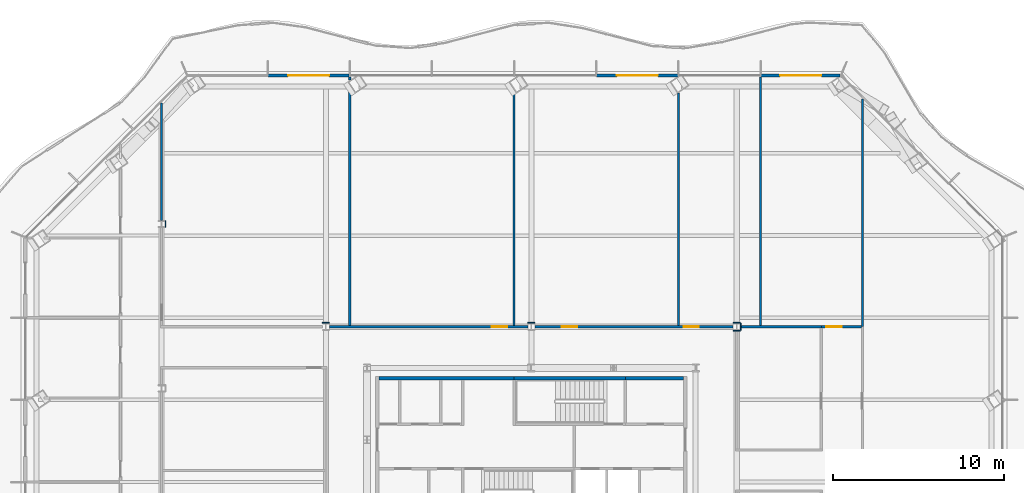
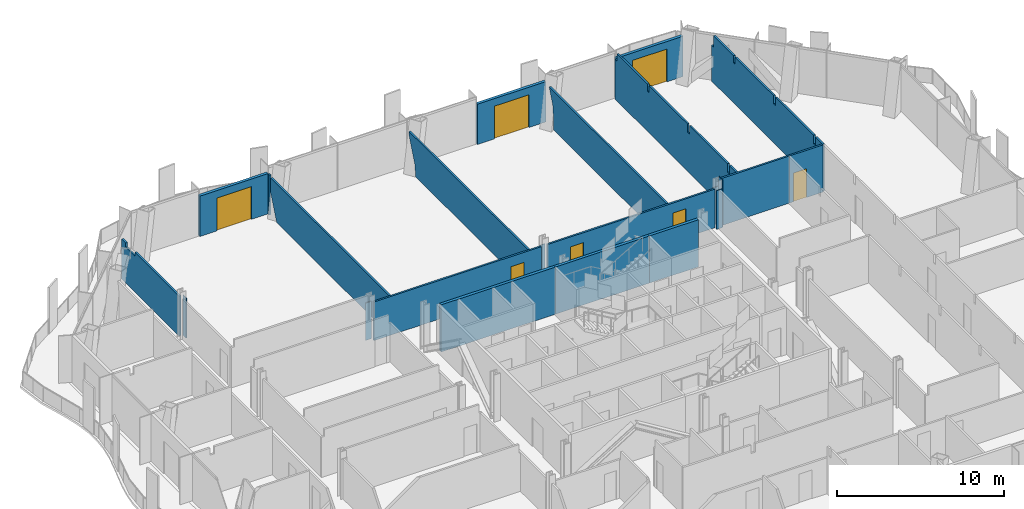
# One storey, part 12 of 21: 23 walls, 7 doors, 7 openings.
"""IFC4 building model written with IfcOpenShell, lengths in metres."""

from ifc_helpers import new_model, si_unit, direction, frame, frame_2d, origin, place, context, subcontext, project, spatial, polyline, rectangle, outline, extrude, material, layer, layer_set, type_object, element, fill, save


model = new_model("IFC4")

# Units and contexts
model_context = context("Model", 3, precision=1e-05, world=origin(), true_north=direction((0.0, 1.0)))
body_context = subcontext(model_context, "Body", "Model", "MODEL_VIEW")
ifc_project = project(units=[si_unit("LENGTHUNIT", "METRE"), si_unit("AREAUNIT", "SQUARE_METRE"), si_unit("VOLUMEUNIT", "CUBIC_METRE"), si_unit("PLANEANGLEUNIT", "RADIAN"), si_unit("MASSUNIT", "GRAM", prefix="KILO")], contexts=[model_context])

# Site, building, storey
site_placement = place(None, origin())
site = spatial("IfcSite", under=ifc_project, at=site_placement, CompositionType="ELEMENT")
building_placement = place(site_placement, origin())
building = spatial("IfcBuilding", under=site, at=building_placement, Name="Cairn Pilgrim Tower", CompositionType="ELEMENT")
storey_placement = place(building_placement, frame((0.0, 0.0, 108.60009765625)))
storey = spatial("IfcBuildingStorey", under=building, at=storey_placement, Name="L26", CompositionType="ELEMENT", Elevation=108.60009765625)

# Wall, opening, door
ifc_material_1 = material(Name="Bronze anodised aluminium insulated sandwich panel with mineral wool fill", Category="aluminium")
ifc_layer_1 = layer(ifc_material_1, 0.199951171875)
ifc_layer_set_1 = layer_set([ifc_layer_1], Name="BRONZE INFILL FRAME WALL 200")
wall_type_1 = type_object("IfcWallType", Name="BRONZE INFILL FRAME WALL 200", PredefinedType="NOTDEFINED", material=ifc_layer_set_1)
wall_1_placement = place(storey_placement, frame((25.248046875, 27.877685546875, 0.0), z_axis=(0.0, 0.0, 1.0), x_axis=(-1.0, 0.0, 0.0)))
wall_1 = element("IfcWall", 1, at=wall_1_placement, inside=storey, type_object=wall_type_1, Name="Bronze infill frame wall IW-N1", PredefinedType="NOTDEFINED", context=body_context, shape_type="SweptSolid", body=[
    extrude(rectangle(XDim=4.62646484375, YDim=0.199951171875, at=frame_2d((2.313232421875, 0.0))), origin(), (0.0, 0.0, 1.0), 2.949951171875),
])
opening_1_placement = place(wall_1_placement, frame((1.10791015625, 0.0, 0.0)))
opening_1 = element("IfcOpeningElement", 2, at=opening_1_placement, cuts=wall_1, Name="Opening 2620B", PredefinedType="OPENING", context=body_context, shape_type="SweptSolid", body=[
    extrude(rectangle(XDim=2.39990234375, YDim=2.39990234375, at=frame_2d((1.199951171875, 1.199951171875))), frame((0.0, 0.10986328125, 0.0), z_axis=(0.0, -1.0, 0.0), x_axis=(1.0, 0.0, 0.0)), (0.0, 0.0, 1.0), 0.219970703125),
])
ifc_material_2 = material(Name="Bronze anodised aluminium frame with tinted low-E glass", Category="aluminium")
door_type_1 = type_object("IfcDoorType", Name="BALCONY SLIDING DOOR 2400x2400", OperationType="DOUBLE_DOOR_SLIDING", PredefinedType="DOOR", material=ifc_material_2)
door_1_placement = place(opening_1_placement, origin())
door_1 = element("IfcDoor", 3, at=door_1_placement, inside=storey, type_object=door_type_1, Name="Balcony sliding door 2620B", OperationType="SINGLE_SWING_LEFT", OverallHeight=2.39990234375, OverallWidth=2.39990234375, PredefinedType="DOOR", context=body_context, shape_type="SweptSolid", body=[
    extrude(rectangle(XDim=2.39990234375, YDim=2.39990234375, at=frame_2d((1.199951171875, 1.199951171875))), frame((0.0, 0.02490234375, 0.0), z_axis=(0.0, -1.0, 0.0), x_axis=(1.0, 0.0, 0.0)), (0.0, 0.0, 1.0), 0.050048828125),
])
fill(opening_1, door_1)

wall_2_placement = place(storey_placement, frame((15.76171875, 27.877685546875, 0.0), z_axis=(0.0, 0.0, 1.0), x_axis=(-1.0, 0.0, 0.0)))
wall_2 = element("IfcWall", 4, at=wall_2_placement, inside=storey, type_object=wall_type_1, Name="Bronze infill frame wall IW-N3", PredefinedType="NOTDEFINED", context=body_context, shape_type="SweptSolid", body=[
    extrude(rectangle(XDim=4.739990234375, YDim=0.199951171875, at=frame_2d((2.3701171875, 0.0))), origin(), (0.0, 0.0, 1.0), 2.949951171875),
])
opening_2_placement = place(wall_2_placement, frame((1.169677734375, 0.0, 0.0)))
opening_2 = element("IfcOpeningElement", 5, at=opening_2_placement, cuts=wall_2, Name="Opening 2618B", PredefinedType="OPENING", context=body_context, shape_type="SweptSolid", body=[
    extrude(rectangle(XDim=2.39990234375, YDim=2.39990234375, at=frame_2d((1.199951171875, 1.199951171875))), frame((0.0, 0.10986328125, 0.0), z_axis=(0.0, -1.0, 0.0), x_axis=(1.0, 0.0, 0.0)), (0.0, 0.0, 1.0), 0.219970703125),
])
door_2_placement = place(opening_2_placement, origin())
door_2 = element("IfcDoor", 6, at=door_2_placement, inside=storey, type_object=door_type_1, Name="Balcony sliding door 2618B", OperationType="SINGLE_SWING_LEFT", OverallHeight=2.39990234375, OverallWidth=2.39990234375, PredefinedType="DOOR", context=body_context, shape_type="SweptSolid", body=[
    extrude(rectangle(XDim=2.39990234375, YDim=2.39990234375, at=frame_2d((1.199951171875, 1.199951171875))), frame((0.0, 0.02490234375, 0.0), z_axis=(0.0, -1.0, 0.0), x_axis=(1.0, 0.0, 0.0)), (0.0, 0.0, 1.0), 0.050048828125),
])
fill(opening_2, door_2)

wall_3_placement = place(storey_placement, frame((-3.4384765625, 27.877685546875, 0.0), z_axis=(0.0, 0.0, 1.0), x_axis=(-1.0, 0.0, 0.0)))
wall_3 = element("IfcWall", 7, at=wall_3_placement, inside=storey, type_object=wall_type_1, Name="Bronze infill frame wall IW-N7", PredefinedType="NOTDEFINED", context=body_context, shape_type="SweptSolid", body=[
    extrude(rectangle(XDim=4.739990234375, YDim=0.199951171875, at=frame_2d((2.3701171875, 0.0))), origin(), (0.0, 0.0, 1.0), 2.949951171875),
])
opening_3_placement = place(wall_3_placement, frame((1.169677734375, 0.0, 0.0)))
opening_3 = element("IfcOpeningElement", 8, at=opening_3_placement, cuts=wall_3, Name="Opening 2616B", PredefinedType="OPENING", context=body_context, shape_type="SweptSolid", body=[
    extrude(rectangle(XDim=2.39990234375, YDim=2.39990234375, at=frame_2d((1.199951171875, 1.199951171875))), frame((0.0, 0.10986328125, 0.0), z_axis=(0.0, -1.0, 0.0), x_axis=(1.0, 0.0, 0.0)), (0.0, 0.0, 1.0), 0.219970703125),
])
door_3_placement = place(opening_3_placement, origin())
door_3 = element("IfcDoor", 9, at=door_3_placement, inside=storey, type_object=door_type_1, Name="Balcony sliding door 2616B", OperationType="SINGLE_SWING_LEFT", OverallHeight=2.39990234375, OverallWidth=2.39990234375, PredefinedType="DOOR", context=body_context, shape_type="SweptSolid", body=[
    extrude(rectangle(XDim=2.39990234375, YDim=2.39990234375, at=frame_2d((1.199951171875, 1.199951171875))), frame((0.0, 0.02490234375, 0.0), z_axis=(0.0, -1.0, 0.0), x_axis=(1.0, 0.0, 0.0)), (0.0, 0.0, 1.0), 0.050048828125),
])
fill(opening_3, door_3)

# Walls
ifc_material_3 = material(Name="Concrete C32/40", Category="concrete")
ifc_layer_2 = layer(ifc_material_3, 0.199951171875)
ifc_layer_set_2 = layer_set([ifc_layer_2], Name="CORE OUTER WALL 200 EI 120")
wall_type_2 = type_object("IfcWallType", Name="CORE OUTER WALL 200 EI 120", PredefinedType="SOLIDWALL", material=ifc_layer_set_2)
wall_4_placement = place(storey_placement, frame((-1.699951171875, 10.199951171875, 0.0), z_axis=(0.0, 0.0, 1.0), x_axis=(1.0, 0.0, 0.0)))
element("IfcWall", 10, at=wall_4_placement, inside=storey, type_object=wall_type_2, Name="CW:L26:H11-1", PredefinedType="SOLIDWALL", context=body_context, shape_type="SweptSolid", body=[
    extrude(rectangle(XDim=7.89990234375, YDim=0.199951171875, at=frame_2d((3.949951171875, 0.0))), origin(), (0.0, 0.0, 1.0), 3.449951171875),
])
wall_5_placement = place(storey_placement, frame((12.699951171875, 10.199951171875, 0.0), z_axis=(0.0, 0.0, 1.0), x_axis=(1.0, 0.0, 0.0)))
element("IfcWall", 11, at=wall_5_placement, inside=storey, type_object=wall_type_2, Name="CW:L26:H11-3", PredefinedType="SOLIDWALL", context=body_context, shape_type="SweptSolid", body=[
    extrude(rectangle(XDim=3.400146484375, YDim=0.199951171875, at=frame_2d((1.7001953125, 0.0))), origin(), (0.0, 0.0, 1.0), 3.449951171875),
])

# Wall, opening, door
ifc_material_4 = material(Name="Gypsum partition")
ifc_layer_3 = layer(ifc_material_4, 0.125)
ifc_layer_set_3 = layer_set([ifc_layer_3], Name="PARTITION 125 DRYWALL EI 60")
wall_type_3 = type_object("IfcWallType", Name="PARTITION 125 DRYWALL EI 60", PredefinedType="PARTITIONING", material=ifc_layer_set_3)
wall_6_placement = place(storey_placement, frame((-4.595458984375, 13.199951171875, 0.0), z_axis=(0.0, 0.0, 1.0), x_axis=(1.0, 0.0, 0.0)))
wall_6 = element("IfcWall", 12, at=wall_6_placement, inside=storey, type_object=wall_type_3, Name="PARTITION W065", PredefinedType="PARTITIONING", context=body_context, shape_type="SweptSolid", body=[
    extrude(rectangle(XDim=11.591064453125, YDim=0.125, at=frame_2d((5.79541015625, 0.0))), origin(), (0.0, 0.0, 1.0), 2.829833984375),
])
opening_4_placement = place(wall_6_placement, frame((9.487548828125, 0.0, 0.0)))
opening_4 = element("IfcOpeningElement", 13, at=opening_4_placement, cuts=wall_6, Name="Opening 2617", PredefinedType="OPENING", context=body_context, shape_type="SweptSolid", body=[
    extrude(rectangle(XDim=0.89990234375, YDim=2.10009765625, at=frame_2d((0.449951171875, 1.050048828125))), frame((0.0, 0.072509765625, 0.0), z_axis=(0.0, -1.0, 0.0), x_axis=(1.0, 0.0, 0.0)), (0.0, 0.0, 1.0), 0.14501953125),
])
ifc_material_5 = material(Name="Steel-faced fire door leaf", Category="steel")
door_type_2 = type_object("IfcDoorType", Name="FIRE DOOR 900x2100 FD30S", OperationType="NOTDEFINED", PredefinedType="DOOR", material=ifc_material_5)
door_4_placement = place(opening_4_placement, origin())
door_4 = element("IfcDoor", 14, at=door_4_placement, inside=storey, type_object=door_type_2, Name="DOOR 2617", OperationType="SINGLE_SWING_RIGHT", OverallHeight=2.10009765625, OverallWidth=0.89990234375, PredefinedType="DOOR", context=body_context, shape_type="SweptSolid", body=[
    extrude(rectangle(XDim=0.89990234375, YDim=2.10009765625, at=frame_2d((0.449951171875, 1.050048828125))), frame((0.0, 0.02490234375, 0.0), z_axis=(0.0, -1.0, 0.0), x_axis=(1.0, 0.0, 0.0)), (0.0, 0.0, 1.0), 0.050048828125),
])
fill(opening_4, door_4)

# Wall, openings, doors
wall_7_placement = place(storey_placement, frame((7.404541015625, 13.199951171875, 0.0), z_axis=(0.0, 0.0, 1.0), x_axis=(1.0, 0.0, 0.0)))
wall_7 = element("IfcWall", 15, at=wall_7_placement, inside=storey, type_object=wall_type_3, Name="PARTITION W066", PredefinedType="PARTITIONING", context=body_context, shape_type="SweptSolid", body=[
    extrude(rectangle(XDim=11.591064453125, YDim=0.125, at=frame_2d((5.79541015625, 0.0))), origin(), (0.0, 0.0, 1.0), 2.829833984375),
])
opening_5_placement = place(wall_7_placement, frame((1.58740234375, 0.0, 0.0)))
opening_5 = element("IfcOpeningElement", 16, at=opening_5_placement, cuts=wall_7, Name="Opening 2618", PredefinedType="OPENING", context=body_context, shape_type="SweptSolid", body=[
    extrude(rectangle(XDim=0.89990234375, YDim=2.10009765625, at=frame_2d((0.449951171875, 1.050048828125))), frame((0.0, 0.072509765625, 0.0), z_axis=(0.0, -1.0, 0.0), x_axis=(1.0, 0.0, 0.0)), (0.0, 0.0, 1.0), 0.14501953125),
])
opening_6_placement = place(wall_7_placement, frame((8.6875, 0.0, 0.0)))
opening_6 = element("IfcOpeningElement", 17, at=opening_6_placement, cuts=wall_7, Name="Opening 2619", PredefinedType="OPENING", context=body_context, shape_type="SweptSolid", body=[
    extrude(rectangle(XDim=0.89990234375, YDim=2.10009765625, at=frame_2d((0.449951171875, 1.050048828125))), frame((0.0, 0.072509765625, 0.0), z_axis=(0.0, -1.0, 0.0), x_axis=(1.0, 0.0, 0.0)), (0.0, 0.0, 1.0), 0.14501953125),
])
door_5_placement = place(opening_5_placement, origin())
door_5 = element("IfcDoor", 18, at=door_5_placement, inside=storey, type_object=door_type_2, Name="DOOR 2618", OperationType="SINGLE_SWING_LEFT", OverallHeight=2.10009765625, OverallWidth=0.89990234375, PredefinedType="DOOR", context=body_context, shape_type="SweptSolid", body=[
    extrude(rectangle(XDim=0.89990234375, YDim=2.10009765625, at=frame_2d((0.449951171875, 1.050048828125))), frame((0.0, 0.02490234375, 0.0), z_axis=(0.0, -1.0, 0.0), x_axis=(1.0, 0.0, 0.0)), (0.0, 0.0, 1.0), 0.050048828125),
])
fill(opening_5, door_5)
door_6_placement = place(opening_6_placement, origin())
door_6 = element("IfcDoor", 19, at=door_6_placement, inside=storey, type_object=door_type_2, Name="DOOR 2619", OperationType="SINGLE_SWING_RIGHT", OverallHeight=2.10009765625, OverallWidth=0.89990234375, PredefinedType="DOOR", context=body_context, shape_type="SweptSolid", body=[
    extrude(rectangle(XDim=0.89990234375, YDim=2.10009765625, at=frame_2d((0.449951171875, 1.050048828125))), frame((0.0, 0.02490234375, 0.0), z_axis=(0.0, -1.0, 0.0), x_axis=(1.0, 0.0, 0.0)), (0.0, 0.0, 1.0), 0.050048828125),
])
fill(opening_6, door_6)

# Wall
wall_8_placement = place(storey_placement, frame((19.404541015625, 13.199951171875, 0.0), z_axis=(0.0, 0.0, 1.0), x_axis=(1.0, 0.0, 0.0)))
element("IfcWall", 20, at=wall_8_placement, inside=storey, type_object=wall_type_3, Name="PARTITION W067", PredefinedType="PARTITIONING", context=body_context, shape_type="SweptSolid", body=[
    extrude(rectangle(XDim=4.737548828125, YDim=0.125, at=frame_2d((2.36865234375, 0.0))), origin(), (0.0, 0.0, 1.0), 3.449951171875),
])

# Wall, opening, door
wall_9_placement = place(storey_placement, frame((24.14208984375, 13.199951171875, 0.0), z_axis=(0.0, 0.0, 1.0), x_axis=(1.0, 0.0, 0.0)))
wall_9 = element("IfcWall", 21, at=wall_9_placement, inside=storey, type_object=wall_type_3, Name="PARTITION W068", PredefinedType="PARTITIONING", context=body_context, shape_type="SweptSolid", body=[
    extrude(rectangle(XDim=2.33740234375, YDim=0.125, at=frame_2d((1.168701171875, 0.0))), origin(), (0.0, 0.0, 1.0), 3.449951171875),
])
opening_7_placement = place(wall_9_placement, frame((0.300048828125, 0.0, 0.0)))
opening_7 = element("IfcOpeningElement", 22, at=opening_7_placement, cuts=wall_9, Name="Opening 2620", PredefinedType="OPENING", context=body_context, shape_type="SweptSolid", body=[
    extrude(rectangle(XDim=0.89990234375, YDim=2.10009765625, at=frame_2d((0.449951171875, 1.050048828125))), frame((0.0, 0.072509765625, 0.0), z_axis=(0.0, -1.0, 0.0), x_axis=(1.0, 0.0, 0.0)), (0.0, 0.0, 1.0), 0.14501953125),
])
door_7_placement = place(opening_7_placement, origin())
door_7 = element("IfcDoor", 23, at=door_7_placement, inside=storey, type_object=door_type_2, Name="DOOR 2620", OperationType="SINGLE_SWING_LEFT", OverallHeight=2.10009765625, OverallWidth=0.89990234375, PredefinedType="DOOR", context=body_context, shape_type="SweptSolid", body=[
    extrude(rectangle(XDim=0.89990234375, YDim=2.10009765625, at=frame_2d((0.449951171875, 1.050048828125))), frame((0.0, 0.02490234375, 0.0), z_axis=(0.0, -1.0, 0.0), x_axis=(1.0, 0.0, 0.0)), (0.0, 0.0, 1.0), 0.050048828125),
])
fill(opening_7, door_7)

# Walls
wall_10_placement = place(storey_placement, frame((26.5419921875, 13.199951171875, 0.0), z_axis=(0.0, 0.0, 1.0), x_axis=(0.0, 1.0, 0.0)))
element("IfcWall", 24, at=wall_10_placement, inside=storey, type_object=wall_type_3, Name="PARTITION W069", PredefinedType="PARTITIONING", context=body_context, shape_type="SweptSolid", body=[
    extrude(outline(polyline([(0.0, 0.0), (13.316162109375, 0.0), (13.31591796875, 2.6298828125), (13.093505859375, 2.6298828125), (13.091552734375, 3.449951171875), (10.686279296875, 3.449951171875), (10.684326171875, 2.929931640625), (10.486328125, 2.929931640625), (10.484375, 3.449951171875), (5.896240234375, 3.449951171875), (5.894287109375, 2.829833984375), (5.67626953125, 2.829833984375), (5.67431640625, 3.449951171875), (1.09619140625, 3.449951171875), (1.09423828125, 2.829833984375), (0.876220703125, 2.829833984375), (0.874267578125, 3.449951171875), (0.0, 3.449951171875), (0.0, 0.0)])), frame((0.0, 0.0625, 0.0), z_axis=(0.0, -1.0, 0.0), x_axis=(1.0, 0.0, 0.0)), (0.0, 0.0, 1.0), 0.125),
])
wall_11_placement = place(storey_placement, frame((-3.407958984375, 13.262451171875, 0.0), z_axis=(0.0, 0.0, 1.0), x_axis=(0.0, 1.0, 0.0)))
element("IfcWall", 25, at=wall_11_placement, inside=storey, type_object=wall_type_3, Name="PARTITION W071", PredefinedType="PARTITIONING", context=body_context, shape_type="SweptSolid", body=[
    extrude(outline(polyline([(0.0, 0.0), (13.47265625, 0.0), (13.82958984375, 0.8623046875), (14.186767578125, 1.724853515625), (14.186767578125, 2.58740234375), (14.186767578125, 2.829833984375), (0.0, 2.829833984375), (0.0, 2.58740234375), (0.0, 1.724853515625), (0.0, 0.8623046875), (0.0, 0.0)])), frame((0.0, 0.0625, 0.0), z_axis=(0.0, -1.0, 0.0), x_axis=(1.0, 0.0, 0.0)), (0.0, 0.0, 1.0), 0.125),
])
wall_12_placement = place(storey_placement, frame((6.19189453125, 13.262451171875, 0.0), z_axis=(0.0, 0.0, 1.0), x_axis=(0.0, 1.0, 0.0)))
element("IfcWall", 26, at=wall_12_placement, inside=storey, type_object=wall_type_3, Name="PARTITION W072", PredefinedType="PARTITIONING", context=body_context, shape_type="SweptSolid", body=[
    extrude(outline(polyline([(0.0, 0.0), (13.443115234375, 0.0), (13.550048828125, 0.8623046875), (13.9072265625, 1.724853515625), (14.264404296875, 2.58740234375), (14.264404296875, 2.829833984375), (0.0, 2.829833984375), (0.0, 2.58740234375), (0.0, 1.724853515625), (0.0, 0.8623046875), (0.0, 0.0)])), frame((0.0, 0.0625, 0.0), z_axis=(0.0, -1.0, 0.0), x_axis=(1.0, 0.0, 0.0)), (0.0, 0.0, 1.0), 0.125),
])
wall_13_placement = place(storey_placement, frame((15.7919921875, 13.262451171875, 0.0), z_axis=(0.0, 0.0, 1.0), x_axis=(0.0, 1.0, 0.0)))
element("IfcWall", 27, at=wall_13_placement, inside=storey, type_object=wall_type_3, Name="PARTITION W073", PredefinedType="PARTITIONING", context=body_context, shape_type="SweptSolid", body=[
    extrude(outline(polyline([(0.0, 0.0), (13.5673828125, 0.0), (13.5673828125, 0.8623046875), (13.6435546875, 1.724853515625), (13.984619140625, 2.58740234375), (14.085205078125, 2.829833984375), (0.0, 2.829833984375), (0.0, 2.58740234375), (0.0, 1.724853515625), (0.0, 0.8623046875), (0.0, 0.0)])), frame((0.0, 0.0625, 0.0), z_axis=(0.0, -1.0, 0.0), x_axis=(1.0, 0.0, 0.0)), (0.0, 0.0, 1.0), 0.125),
])
wall_14_placement = place(storey_placement, frame((20.592041015625, 13.262451171875, 0.0), z_axis=(0.0, 0.0, 1.0), x_axis=(0.0, 1.0, 0.0)))
element("IfcWall", 28, at=wall_14_placement, inside=storey, type_object=wall_type_3, Name="PARTITION W074", PredefinedType="PARTITIONING", context=body_context, shape_type="SweptSolid", body=[
    extrude(outline(polyline([(0.0, 0.0), (14.51513671875, 0.0), (14.51513671875, 2.929931640625), (14.273681640625, 2.929931640625), (14.271728515625, 3.449951171875), (10.623779296875, 3.449951171875), (10.621826171875, 2.929931640625), (10.423828125, 2.929931640625), (10.421875, 3.449951171875), (5.833740234375, 3.449951171875), (5.831787109375, 2.829833984375), (5.61376953125, 2.829833984375), (5.61181640625, 3.449951171875), (1.03369140625, 3.449951171875), (1.03173828125, 2.829833984375), (0.813720703125, 2.829833984375), (0.811767578125, 3.449951171875), (0.0, 3.449951171875), (0.0, 0.0)])), frame((0.0, 0.0625, 0.0), z_axis=(0.0, -1.0, 0.0), x_axis=(1.0, 0.0, 0.0)), (0.0, 0.0, 1.0), 0.125),
])
wall_15_placement = place(storey_placement, frame((-14.39990234375, 19.396484375, 0.0), z_axis=(0.0, 0.0, 1.0), x_axis=(0.0, 1.0, 0.0)))
element("IfcWall", 29, at=wall_15_placement, inside=storey, type_object=wall_type_3, Name="PARTITION W078", PredefinedType="PARTITIONING", context=body_context, shape_type="SweptSolid", body=[
    extrude(outline(polyline([(0.0, 0.0), (6.878173828125, 0.0), (6.878173828125, 2.929931640625), (6.39501953125, 2.929931640625), (6.39306640625, 2.6298828125), (5.280029296875, 2.6298828125), (5.278076171875, 2.929931640625), (0.0, 2.929931640625), (0.0, 0.0)])), frame((0.0, 0.0625, 0.0), z_axis=(0.0, -1.0, 0.0), x_axis=(1.0, 0.0, 0.0)), (0.0, 0.0, 1.0), 0.125),
])
wall_16_placement = place(storey_placement, frame((-3.407958984375, 27.626220703125, 0.0), z_axis=(0.0, 0.0, 1.0), x_axis=(0.0, 1.0, 0.0)))
element("IfcWall", 30, at=wall_16_placement, inside=storey, type_object=wall_type_3, Name="PARTITION W080", PredefinedType="PARTITIONING", context=body_context, shape_type="SweptSolid", body=[
    extrude(outline(polyline([(0.0, 0.0), (0.151611328125, 0.0), (0.151611328125, 0.8623046875), (0.151611328125, 1.724853515625), (0.151611328125, 2.58740234375), (0.151611328125, 2.929931640625), (0.0, 2.929931640625), (0.0, 2.58740234375), (0.0, 1.724853515625), (0.0, 0.8623046875), (0.0, 0.0)])), frame((0.0, 0.0625, 0.0), z_axis=(0.0, -1.0, 0.0), x_axis=(1.0, 0.0, 0.0)), (0.0, 0.0, 1.0), 0.125),
])
ifc_layer_4 = layer(ifc_material_4, 0.050048828125)
ifc_layer_set_4 = layer_set([ifc_layer_4], Name="PARTITION 50 DRYWALL EI 60")
wall_type_4 = type_object("IfcWallType", Name="PARTITION 50 DRYWALL EI 60", PredefinedType="PARTITIONING", material=ifc_layer_set_4)
wall_17_placement = place(storey_placement, frame((19.429443359375, 12.987548828125, 0.0), z_axis=(0.0, 0.0, 1.0), x_axis=(0.0, 1.0, 0.0)))
element("IfcWall", 31, at=wall_17_placement, inside=storey, type_object=wall_type_4, Name="COLUMN CASING WC12", PredefinedType="PARTITIONING", context=body_context, shape_type="SweptSolid", body=[
    extrude(rectangle(XDim=0.425048828125, YDim=0.050048828125, at=frame_2d((0.21240234375, 0.0))), origin(), (0.0, 0.0, 1.0), 3.449951171875),
])
for number, where, z_axis, x_axis, name in (
    (32, (-5.00439453125, 13.4375, 0.0), (0.0, 0.0, 1.0), (1.0, 0.0, 0.0), "COLUMN CASING WC13"),
    (33, (6.99560546875, 13.4375, 0.0), (0.0, 0.0, 1.0), (1.0, 0.0, 0.0), "COLUMN CASING WC14"),
    (34, (18.99560546875, 13.4375, 0.0), (0.0, 0.0, 1.0), (1.0, 0.0, 0.0), "COLUMN CASING WC15"),
):
    element("IfcWall", number, at=place(storey_placement, frame(where, z_axis=z_axis, x_axis=x_axis)), inside=storey, type_object=wall_type_4, Name=name, PredefinedType="PARTITIONING", context=body_context, shape_type="SweptSolid", body=[
        extrude(rectangle(XDim=0.408935546875, YDim=0.050048828125, at=frame_2d((0.20458984375, 0.0))), origin(), (0.0, 0.0, 1.0), 2.72998046875),
    ])
wall_18_placement = place(storey_placement, frame((18.99560546875, 12.96240234375, 0.0), z_axis=(0.0, 0.0, 1.0), x_axis=(1.0, 0.0, 0.0)))
element("IfcWall", 35, at=wall_18_placement, inside=storey, type_object=wall_type_4, Name="COLUMN CASING WC16", PredefinedType="PARTITIONING", context=body_context, shape_type="SweptSolid", body=[
    extrude(rectangle(XDim=0.408935546875, YDim=0.050048828125, at=frame_2d((0.20458984375, 0.0))), origin(), (0.0, 0.0, 1.0), 2.829833984375),
])
wall_19_placement = place(storey_placement, frame((-14.175537109375, 19.00341796875, 0.0), z_axis=(0.0, 0.0, 1.0), x_axis=(0.0, 1.0, 0.0)))
element("IfcWall", 36, at=wall_19_placement, inside=storey, type_object=wall_type_4, Name="COLUMN CASING WC17", PredefinedType="PARTITIONING", context=body_context, shape_type="SweptSolid", body=[
    extrude(rectangle(XDim=0.39306640625, YDim=0.050048828125, at=frame_2d((0.196533203125, 0.0))), origin(), (0.0, 0.0, 1.0), 2.929931640625),
])
ifc_material_6 = material(Name="Concrete C35/45", Category="concrete")
ifc_layer_5 = layer(ifc_material_6, 0.199951171875)
ifc_layer_set_5 = layer_set([ifc_layer_5], Name="STAIR SHAFT WALL 200 EI 120")
wall_type_5 = type_object("IfcWallType", Name="STAIR SHAFT WALL 200 EI 120", PredefinedType="SOLIDWALL", material=ifc_layer_set_5)
wall_20_placement = place(storey_placement, frame((6.199951171875, 10.199951171875, 0.0), z_axis=(0.0, 0.0, 1.0), x_axis=(1.0, 0.0, 0.0)))
element("IfcWall", 37, at=wall_20_placement, inside=storey, type_object=wall_type_5, Name="CW:L26:H11-2", PredefinedType="SOLIDWALL", context=body_context, shape_type="SweptSolid", body=[
    extrude(rectangle(XDim=6.5, YDim=0.199951171875, at=frame_2d((3.25, 0.0))), origin(), (0.0, 0.0, 1.0), 3.449951171875),
])

save(model, "model.ifc")
